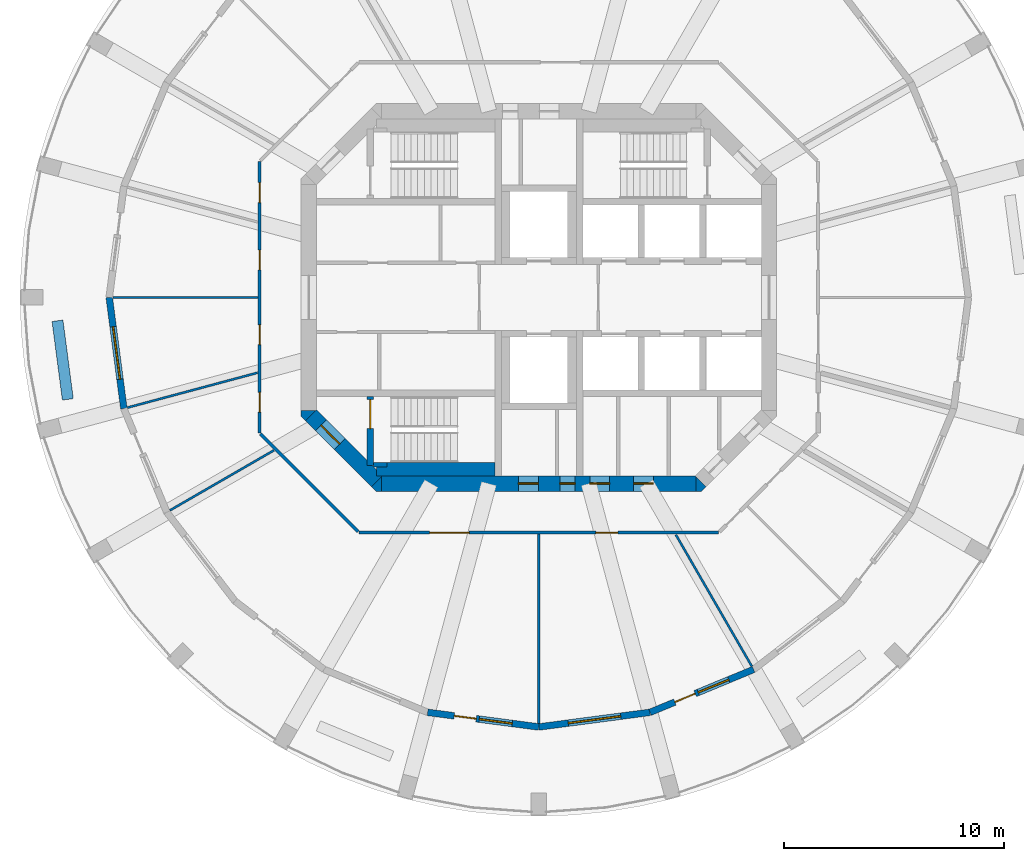
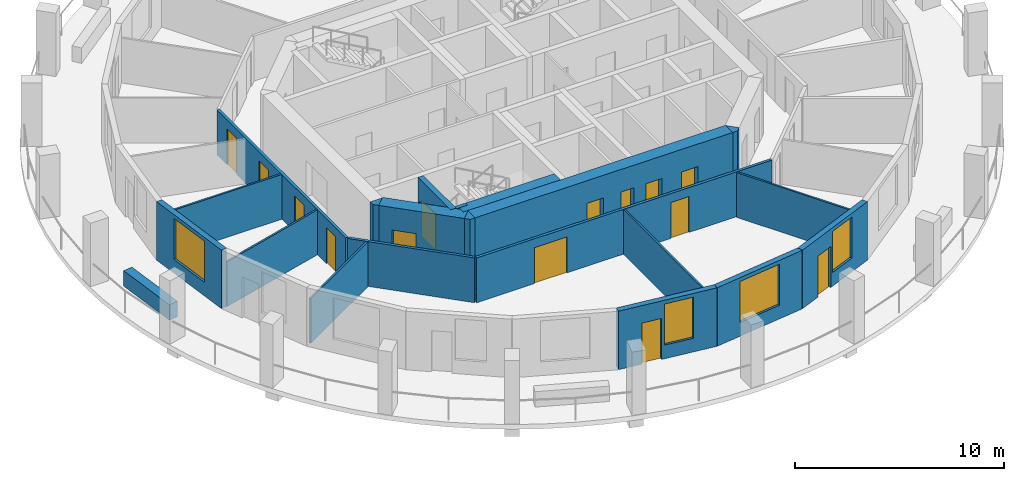
# One storey, part 2 of 8: 21 walls, 14 doors, 4 windows, 18 openings.
"""IFC4 building model written with IfcOpenShell, lengths in metres."""

from ifc_helpers import new_model, si_unit, direction, frame, frame_2d, origin, place, context, subcontext, project, spatial, polyline, rectangle, outline, extrude, material, layer, layer_set, type_object, element, fill, save


model = new_model("IFC4")

# Units and contexts
model_context = context("Model", 3, precision=1e-05, world=origin(), true_north=direction((0.0, 1.0)))
body_context = subcontext(model_context, "Body", "Model", "MODEL_VIEW")
ifc_project = project(units=[si_unit("LENGTHUNIT", "METRE"), si_unit("AREAUNIT", "SQUARE_METRE"), si_unit("VOLUMEUNIT", "CUBIC_METRE"), si_unit("PLANEANGLEUNIT", "RADIAN"), si_unit("MASSUNIT", "GRAM", prefix="KILO")], contexts=[model_context])

# Site, building, storey
site_placement = place(None, origin())
site = spatial("IfcSite", under=ifc_project, at=site_placement, CompositionType="ELEMENT")
building_placement = place(site_placement, origin())
building = spatial("IfcBuilding", under=site, at=building_placement, Name="Torre Triforio", CompositionType="ELEMENT")
storey_placement = place(building_placement, frame((0.0, 0.0, 192.800048828125)))
storey = spatial("IfcBuildingStorey", under=building, at=storey_placement, Name="L43", CompositionType="ELEMENT", Elevation=192.800048828125)

# Wall, openings, doors
ifc_material_1 = material(Name="Concrete C50", Category="concrete")
ifc_layer_1 = layer(ifc_material_1, 0.699951171875)
ifc_layer_set_1 = layer_set([ifc_layer_1], Name="Concrete C50")
wall_type_1 = type_object("IfcWallType", Name="Core wall 700 mm C50 EI 120", PredefinedType="SHEAR", material=ifc_layer_set_1)
wall_1_placement = place(storey_placement, frame((-7.1298828125, -8.449951171875, -0.280029296875), z_axis=(0.0, 0.0, 1.0), x_axis=(1.0, 0.0, 0.0)))
wall_1 = element("IfcWall", 1, at=wall_1_placement, inside=storey, type_object=wall_type_1, Name="Core wall", PredefinedType="SHEAR", context=body_context, shape_type="SweptSolid", body=[
    extrude(rectangle(XDim=14.259765625, YDim=0.699951171875, at=frame_2d((7.1298828125, 0.0))), origin(), (0.0, 0.0, 1.0), 3.699951171875),
])
opening_1_placement = place(wall_1_placement, frame((8.080078125, 0.0, 0.280029296875)))
opening_1 = element("IfcOpeningElement", 2, at=opening_1_placement, cuts=wall_1, Name="Opening RISER-S", PredefinedType="OPENING", context=body_context, shape_type="SweptSolid", body=[
    extrude(rectangle(XDim=0.699951171875, YDim=2.10009765625, at=frame_2d((0.35009765625, 1.050048828125))), frame((0.0, 0.35986328125, 0.0), z_axis=(0.0, -1.0, 0.0), x_axis=(1.0, 0.0, 0.0)), (0.0, 0.0, 1.0), 0.719970703125),
])
opening_2_placement = place(wall_1_placement, frame((6.205078125, 0.0, 0.280029296875)))
opening_2 = element("IfcOpeningElement", 3, at=opening_2_placement, cuts=wall_1, Name="Opening SW-01B", PredefinedType="OPENING", context=body_context, shape_type="SweptSolid", body=[
    extrude(rectangle(XDim=0.89990234375, YDim=2.10009765625, at=frame_2d((0.449951171875, 1.050048828125))), frame((0.0, 0.35986328125, 0.0), z_axis=(0.0, -1.0, 0.0), x_axis=(1.0, 0.0, 0.0)), (0.0, 0.0, 1.0), 0.719970703125),
])
opening_3_placement = place(wall_1_placement, frame((9.445068359375, 0.0, 0.280029296875)))
opening_3 = element("IfcOpeningElement", 4, at=opening_3_placement, cuts=wall_1, Name="Opening SE-01A", PredefinedType="OPENING", context=body_context, shape_type="SweptSolid", body=[
    extrude(rectangle(XDim=0.89990234375, YDim=2.10009765625, at=frame_2d((0.449951171875, 1.050048828125))), frame((0.0, 0.35986328125, 0.0), z_axis=(0.0, -1.0, 0.0), x_axis=(1.0, 0.0, 0.0)), (0.0, 0.0, 1.0), 0.719970703125),
])
opening_4_placement = place(wall_1_placement, frame((11.430908203125, 0.0, 0.280029296875)))
opening_4 = element("IfcOpeningElement", 5, at=opening_4_placement, cuts=wall_1, Name="Opening SE-02", PredefinedType="OPENING", context=body_context, shape_type="SweptSolid", body=[
    extrude(rectangle(XDim=0.89990234375, YDim=2.10009765625, at=frame_2d((0.449951171875, 1.050048828125))), frame((0.0, 0.35986328125, 0.0), z_axis=(0.0, -1.0, 0.0), x_axis=(1.0, 0.0, 0.0)), (0.0, 0.0, 1.0), 0.719970703125),
])
ifc_material_2 = material(Name="Hollow metal fire door leaf")
door_type_1 = type_object("IfcDoorType", Name="Riser door 700 x 2100 EI 60", OperationType="NOTDEFINED", PredefinedType="DOOR", material=ifc_material_2)
door_1_placement = place(opening_1_placement, origin())
door_1 = element("IfcDoor", 6, at=door_1_placement, inside=storey, type_object=door_type_1, Name="Core door RISER-S", OperationType="SINGLE_SWING_RIGHT", OverallHeight=2.10009765625, OverallWidth=0.699951171875, PredefinedType="DOOR", context=body_context, shape_type="SweptSolid", body=[
    extrude(rectangle(XDim=0.699951171875, YDim=2.10009765625, at=frame_2d((0.35009765625, 1.050048828125))), frame((0.0, 0.02490234375, 0.0), z_axis=(0.0, -1.0, 0.0), x_axis=(1.0, 0.0, 0.0)), (0.0, 0.0, 1.0), 0.050048828125),
])
fill(opening_1, door_1)
door_type_2 = type_object("IfcDoorType", Name="Room door 900 x 2100 EI 60", OperationType="NOTDEFINED", PredefinedType="DOOR", material=ifc_material_2)
door_2_placement = place(opening_2_placement, origin())
door_2 = element("IfcDoor", 7, at=door_2_placement, inside=storey, type_object=door_type_2, Name="Core door SW-01", OperationType="SINGLE_SWING_LEFT", OverallHeight=2.10009765625, OverallWidth=0.89990234375, PredefinedType="DOOR", context=body_context, shape_type="SweptSolid", body=[
    extrude(rectangle(XDim=0.89990234375, YDim=2.10009765625, at=frame_2d((0.449951171875, 1.050048828125))), frame((0.0, 0.02490234375, 0.0), z_axis=(0.0, -1.0, 0.0), x_axis=(1.0, 0.0, 0.0)), (0.0, 0.0, 1.0), 0.050048828125),
])
fill(opening_2, door_2)
door_3_placement = place(opening_3_placement, origin())
door_3 = element("IfcDoor", 8, at=door_3_placement, inside=storey, type_object=door_type_2, Name="Core door SE-01", OperationType="SINGLE_SWING_RIGHT", OverallHeight=2.10009765625, OverallWidth=0.89990234375, PredefinedType="DOOR", context=body_context, shape_type="SweptSolid", body=[
    extrude(rectangle(XDim=0.89990234375, YDim=2.10009765625, at=frame_2d((0.449951171875, 1.050048828125))), frame((0.0, 0.02490234375, 0.0), z_axis=(0.0, -1.0, 0.0), x_axis=(1.0, 0.0, 0.0)), (0.0, 0.0, 1.0), 0.050048828125),
])
fill(opening_3, door_3)
door_4_placement = place(opening_4_placement, origin())
door_4 = element("IfcDoor", 9, at=door_4_placement, inside=storey, type_object=door_type_2, Name="Core door SE-02", OperationType="SINGLE_SWING_LEFT", OverallHeight=2.10009765625, OverallWidth=0.89990234375, PredefinedType="DOOR", context=body_context, shape_type="SweptSolid", body=[
    extrude(rectangle(XDim=0.89990234375, YDim=2.10009765625, at=frame_2d((0.449951171875, 1.050048828125))), frame((0.0, 0.02490234375, 0.0), z_axis=(0.0, -1.0, 0.0), x_axis=(1.0, 0.0, 0.0)), (0.0, 0.0, 1.0), 0.050048828125),
])
fill(opening_4, door_4)

# Wall, opening, door
wall_2_placement = place(storey_placement, frame((-7.347412109375, -8.347412109375, -0.280029296875), z_axis=(0.0, 0.0, 1.0), x_axis=(-0.707106781187, 0.707106781187, 0.0)))
wall_2 = element("IfcWall", 10, at=wall_2_placement, inside=storey, type_object=wall_type_1, Name="Core wall", PredefinedType="SHEAR", context=body_context, shape_type="SweptSolid", body=[
    extrude(rectangle(XDim=4.24267578125, YDim=0.699951171875, at=frame_2d((2.121337890625, 0.0))), origin(), (0.0, 0.0, 1.0), 3.699951171875),
])
opening_5_placement = place(wall_2_placement, frame((2.392578125, 0.0, 0.280029296875)))
opening_5 = element("IfcOpeningElement", 11, at=opening_5_placement, cuts=wall_2, Name="Opening ST3-EXIT", PredefinedType="OPENING", context=body_context, shape_type="SweptSolid", body=[
    extrude(rectangle(XDim=1.199951171875, YDim=2.10009765625, at=frame_2d((0.60009765625, 1.050048828125))), frame((0.0, 0.35986328125, 0.0), z_axis=(0.0, -1.0, 0.0), x_axis=(1.0, 0.0, 0.0)), (0.0, 0.0, 1.0), 0.719970703125),
])
door_type_3 = type_object("IfcDoorType", Name="Stair lobby door 1200 x 2100 EI 60", OperationType="NOTDEFINED", PredefinedType="DOOR", material=ifc_material_2)
door_5_placement = place(opening_5_placement, origin())
door_5 = element("IfcDoor", 12, at=door_5_placement, inside=storey, type_object=door_type_3, Name="Core door ST3-EXIT", OperationType="SINGLE_SWING_RIGHT", OverallHeight=2.10009765625, OverallWidth=1.199951171875, PredefinedType="DOOR", context=body_context, shape_type="SweptSolid", body=[
    extrude(rectangle(XDim=1.199951171875, YDim=2.10009765625, at=frame_2d((0.60009765625, 1.050048828125))), frame((0.0, 0.02490234375, 0.0), z_axis=(0.0, -1.0, 0.0), x_axis=(1.0, 0.0, 0.0)), (0.0, 0.0, 1.0), 0.050048828125),
])
fill(opening_5, door_5)

# Walls
wall_3_placement = place(storey_placement, frame((0.0, 0.0, -0.280029296875)))
element("IfcWall", 13, at=wall_3_placement, inside=storey, type_object=wall_type_1, Name="Core wall", PredefinedType="SHEAR", context=body_context, shape_type="SweptSolid", body=[
    extrude(outline(polyline([(-7.389892578125, -8.800048828125), (-7.594970703125, -8.594970703125), (-7.594970703125, -8.594970703125), (-7.594970703125, -8.594970703125), (-7.1298828125, -8.1298828125), (-7.1298828125, -8.800048828125), (-7.1298828125, -8.800048828125), (-7.389892578125, -8.800048828125)])), origin(), (0.0, 0.0, 1.0), 3.699951171875),
])
wall_4_placement = place(storey_placement, frame((0.0, 0.0, -0.280029296875)))
element("IfcWall", 14, at=wall_4_placement, inside=storey, type_object=wall_type_1, Name="Core wall", PredefinedType="SHEAR", context=body_context, shape_type="SweptSolid", body=[
    extrude(outline(polyline([(7.389892578125, -8.800048828125), (7.1298828125, -8.800048828125), (7.1298828125, -8.800048828125), (7.1298828125, -8.1298828125), (7.594970703125, -8.594970703125), (7.594970703125, -8.594970703125), (7.594970703125, -8.594970703125), (7.389892578125, -8.800048828125)])), origin(), (0.0, 0.0, 1.0), 3.699951171875),
])
wall_5_placement = place(storey_placement, frame((0.0, 0.0, -0.280029296875)))
element("IfcWall", 15, at=wall_5_placement, inside=storey, type_object=wall_type_1, Name="Core wall", PredefinedType="SHEAR", context=body_context, shape_type="SweptSolid", body=[
    extrude(outline(polyline([(-10.800048828125, -5.389892578125), (-10.800048828125, -5.1298828125), (-10.800048828125, -5.1298828125), (-10.1298828125, -5.1298828125), (-10.594970703125, -5.594970703125), (-10.594970703125, -5.594970703125), (-10.594970703125, -5.594970703125), (-10.800048828125, -5.389892578125)])), origin(), (0.0, 0.0, 1.0), 3.699951171875),
])

# Wall, openings, doors
ifc_material_3 = material(Name="Plasterboard on metal studs")
ifc_layer_2 = layer(ifc_material_3, 0.14990234375)
ifc_layer_set_2 = layer_set([ifc_layer_2], Name="Plasterboard on metal studs")
wall_type_2 = type_object("IfcWallType", Name="Corridor and tenancy wall 150 mm EI 60", PredefinedType="PARTITIONING", material=ifc_layer_set_2)
wall_6_placement = place(storey_placement, frame((8.16650390625, -10.675048828125, 0.0), z_axis=(0.0, 0.0, 1.0), x_axis=(-1.0, 0.0, 0.0)))
wall_6 = element("IfcWall", 16, at=wall_6_placement, inside=storey, type_object=wall_type_2, Name="Partition 3", PredefinedType="PARTITIONING", context=body_context, shape_type="SweptSolid", body=[
    extrude(rectangle(XDim=16.3330078125, YDim=0.14990234375, at=frame_2d((8.16650390625, 0.0))), origin(), (0.0, 0.0, 1.0), 2.619873046875),
])
opening_6_placement = place(wall_6_placement, frame((11.324951171875, 0.0, 0.0)))
opening_6 = element("IfcOpeningElement", 17, at=opening_6_placement, cuts=wall_6, Name="Opening O4-08", PredefinedType="OPENING", context=body_context, shape_type="SweptSolid", body=[
    extrude(rectangle(XDim=1.800048828125, YDim=2.10009765625, at=frame_2d((0.89990234375, 1.050048828125))), frame((0.0, 0.0849609375, 0.0), z_axis=(0.0, -1.0, 0.0), x_axis=(1.0, 0.0, 0.0)), (0.0, 0.0, 1.0), 0.169921875),
])
opening_7_placement = place(wall_6_placement, frame((4.5810546875, 0.0, 0.0)))
opening_7 = element("IfcOpeningElement", 18, at=opening_7_placement, cuts=wall_6, Name="Opening O4-09", PredefinedType="OPENING", context=body_context, shape_type="SweptSolid", body=[
    extrude(rectangle(XDim=1.0, YDim=2.10009765625, at=frame_2d((0.5, 1.050048828125))), frame((0.0, 0.0849609375, 0.0), z_axis=(0.0, -1.0, 0.0), x_axis=(1.0, 0.0, 0.0)), (0.0, 0.0, 1.0), 0.169921875),
])
ifc_material_4 = material(Name="Timber", Category="wood")
door_type_4 = type_object("IfcDoorType", Name="Door 1000 x 2100 single leaf EI 30", OperationType="NOTDEFINED", PredefinedType="DOOR", material=ifc_material_4)
door_6_placement = place(opening_7_placement, origin())
door_6 = element("IfcDoor", 19, at=door_6_placement, inside=storey, type_object=door_type_4, Name="Door O4-09", OperationType="SINGLE_SWING_LEFT", OverallHeight=2.10009765625, OverallWidth=1.0, PredefinedType="DOOR", context=body_context, shape_type="SweptSolid", body=[
    extrude(rectangle(XDim=1.0, YDim=2.10009765625, at=frame_2d((0.5, 1.050048828125))), frame((0.0, 0.02490234375, 0.0), z_axis=(0.0, -1.0, 0.0), x_axis=(1.0, 0.0, 0.0)), (0.0, 0.0, 1.0), 0.050048828125),
])
fill(opening_7, door_6)
door_type_5 = type_object("IfcDoorType", Name="Door 1800 x 2100 double leaf EI 30", OperationType="DOUBLE_DOOR_SINGLE_SWING", PredefinedType="DOOR", material=ifc_material_4)
door_7_placement = place(opening_6_placement, origin())
door_7 = element("IfcDoor", 20, at=door_7_placement, inside=storey, type_object=door_type_5, Name="Door O4-08", OperationType="DOUBLE_DOOR_SINGLE_SWING", OverallHeight=2.10009765625, OverallWidth=1.800048828125, PredefinedType="DOOR", context=body_context, shape_type="SweptSolid", body=[
    extrude(rectangle(XDim=1.800048828125, YDim=2.10009765625, at=frame_2d((0.89990234375, 1.050048828125))), frame((0.0, 0.02490234375, 0.0), z_axis=(0.0, -1.0, 0.0), x_axis=(1.0, 0.0, 0.0)), (0.0, 0.0, 1.0), 0.050048828125),
])
fill(opening_6, door_7)

# Wall
wall_7_placement = place(storey_placement, frame((-8.20361328125, -10.637939453125, 0.0), z_axis=(0.0, 0.0, 1.0), x_axis=(-0.707106781187, 0.707106781187, 0.0)))
element("IfcWall", 21, at=wall_7_placement, inside=storey, type_object=wall_type_2, Name="Partition 4", PredefinedType="PARTITIONING", context=body_context, shape_type="SweptSolid", body=[
    extrude(rectangle(XDim=6.27099609375, YDim=0.14990234375, at=frame_2d((3.135498046875, 0.0))), origin(), (0.0, 0.0, 1.0), 2.619873046875),
])

# Wall, openings, doors
wall_8_placement = place(storey_placement, frame((-12.675048828125, -6.16650390625, 0.0), z_axis=(0.0, 0.0, 1.0), x_axis=(0.0, 1.0, 0.0)))
wall_8 = element("IfcWall", 22, at=wall_8_placement, inside=storey, type_object=wall_type_2, Name="Partition 5", PredefinedType="PARTITIONING", context=body_context, shape_type="SweptSolid", body=[
    extrude(rectangle(XDim=12.3330078125, YDim=0.14990234375, at=frame_2d((6.16650390625, 0.0))), origin(), (0.0, 0.0, 1.0), 2.619873046875),
])
opening_8_placement = place(wall_8_placement, frame((10.47314453125, 0.0, 0.0)))
opening_8 = element("IfcOpeningElement", 23, at=opening_8_placement, cuts=wall_8, Name="Opening O4-04", PredefinedType="OPENING", context=body_context, shape_type="SweptSolid", body=[
    extrude(rectangle(XDim=0.89990234375, YDim=2.10009765625, at=frame_2d((0.449951171875, 1.050048828125))), frame((0.0, 0.0849609375, 0.0), z_axis=(0.0, -1.0, 0.0), x_axis=(1.0, 0.0, 0.0)), (0.0, 0.0, 1.0), 0.169921875),
])
opening_9_placement = place(wall_8_placement, frame((7.41552734375, 0.0, 0.0)))
opening_9 = element("IfcOpeningElement", 24, at=opening_9_placement, cuts=wall_8, Name="Opening O4-05", PredefinedType="OPENING", context=body_context, shape_type="SweptSolid", body=[
    extrude(rectangle(XDim=0.89990234375, YDim=2.10009765625, at=frame_2d((0.449951171875, 1.050048828125))), frame((0.0, 0.0849609375, 0.0), z_axis=(0.0, -1.0, 0.0), x_axis=(1.0, 0.0, 0.0)), (0.0, 0.0, 1.0), 0.169921875),
])
opening_10_placement = place(wall_8_placement, frame((4.017578125, 0.0, 0.0)))
opening_10 = element("IfcOpeningElement", 25, at=opening_10_placement, cuts=wall_8, Name="Opening O4-06", PredefinedType="OPENING", context=body_context, shape_type="SweptSolid", body=[
    extrude(rectangle(XDim=0.89990234375, YDim=2.10009765625, at=frame_2d((0.449951171875, 1.050048828125))), frame((0.0, 0.0849609375, 0.0), z_axis=(0.0, -1.0, 0.0), x_axis=(1.0, 0.0, 0.0)), (0.0, 0.0, 1.0), 0.169921875),
])
opening_11_placement = place(wall_8_placement, frame((0.960205078125, 0.0, 0.0)))
opening_11 = element("IfcOpeningElement", 26, at=opening_11_placement, cuts=wall_8, Name="Opening O4-07", PredefinedType="OPENING", context=body_context, shape_type="SweptSolid", body=[
    extrude(rectangle(XDim=0.89990234375, YDim=2.10009765625, at=frame_2d((0.449951171875, 1.050048828125))), frame((0.0, 0.0849609375, 0.0), z_axis=(0.0, -1.0, 0.0), x_axis=(1.0, 0.0, 0.0)), (0.0, 0.0, 1.0), 0.169921875),
])
door_type_6 = type_object("IfcDoorType", Name="Door 900 x 2100 single leaf EI 30", OperationType="NOTDEFINED", PredefinedType="DOOR", material=ifc_material_4)
door_8_placement = place(opening_8_placement, origin())
door_8 = element("IfcDoor", 27, at=door_8_placement, inside=storey, type_object=door_type_6, Name="Door O4-04", OperationType="SINGLE_SWING_LEFT", OverallHeight=2.10009765625, OverallWidth=0.89990234375, PredefinedType="DOOR", context=body_context, shape_type="SweptSolid", body=[
    extrude(rectangle(XDim=0.89990234375, YDim=2.10009765625, at=frame_2d((0.449951171875, 1.050048828125))), frame((0.0, 0.02490234375, 0.0), z_axis=(0.0, -1.0, 0.0), x_axis=(1.0, 0.0, 0.0)), (0.0, 0.0, 1.0), 0.050048828125),
])
fill(opening_8, door_8)
door_9_placement = place(opening_9_placement, origin())
door_9 = element("IfcDoor", 28, at=door_9_placement, inside=storey, type_object=door_type_6, Name="Door O4-05", OperationType="SINGLE_SWING_LEFT", OverallHeight=2.10009765625, OverallWidth=0.89990234375, PredefinedType="DOOR", context=body_context, shape_type="SweptSolid", body=[
    extrude(rectangle(XDim=0.89990234375, YDim=2.10009765625, at=frame_2d((0.449951171875, 1.050048828125))), frame((0.0, 0.02490234375, 0.0), z_axis=(0.0, -1.0, 0.0), x_axis=(1.0, 0.0, 0.0)), (0.0, 0.0, 1.0), 0.050048828125),
])
fill(opening_9, door_9)
door_10_placement = place(opening_10_placement, origin())
door_10 = element("IfcDoor", 29, at=door_10_placement, inside=storey, type_object=door_type_6, Name="Door O4-06", OperationType="SINGLE_SWING_LEFT", OverallHeight=2.10009765625, OverallWidth=0.89990234375, PredefinedType="DOOR", context=body_context, shape_type="SweptSolid", body=[
    extrude(rectangle(XDim=0.89990234375, YDim=2.10009765625, at=frame_2d((0.449951171875, 1.050048828125))), frame((0.0, 0.02490234375, 0.0), z_axis=(0.0, -1.0, 0.0), x_axis=(1.0, 0.0, 0.0)), (0.0, 0.0, 1.0), 0.050048828125),
])
fill(opening_10, door_10)
door_11_placement = place(opening_11_placement, origin())
door_11 = element("IfcDoor", 30, at=door_11_placement, inside=storey, type_object=door_type_6, Name="Door O4-07", OperationType="SINGLE_SWING_LEFT", OverallHeight=2.10009765625, OverallWidth=0.89990234375, PredefinedType="DOOR", context=body_context, shape_type="SweptSolid", body=[
    extrude(rectangle(XDim=0.89990234375, YDim=2.10009765625, at=frame_2d((0.449951171875, 1.050048828125))), frame((0.0, 0.02490234375, 0.0), z_axis=(0.0, -1.0, 0.0), x_axis=(1.0, 0.0, 0.0)), (0.0, 0.0, 1.0), 0.050048828125),
])
fill(opening_11, door_11)

# Walls
ifc_layer_3 = layer(ifc_material_3, 0.10009765625)
ifc_layer_set_3 = layer_set([ifc_layer_3], Name="Plasterboard on metal studs")
wall_type_3 = type_object("IfcWallType", Name="Partition 100 mm board on metal studs", PredefinedType="PARTITIONING", material=ifc_layer_set_3)
wall_9_placement = place(storey_placement, frame((-12.75, 0.0, 0.0), z_axis=(0.0, 0.0, 1.0), x_axis=(-1.0, 0.0, 0.0)))
element("IfcWall", 31, at=wall_9_placement, inside=storey, type_object=wall_type_3, Name="Partition 18", PredefinedType="PARTITIONING", context=body_context, shape_type="SweptSolid", body=[
    extrude(rectangle(XDim=6.586669921875, YDim=0.10009765625, at=frame_2d((3.29345703125, 0.0))), origin(), (0.0, 0.0, 1.0), 2.619873046875),
])
wall_10_placement = place(storey_placement, frame((-12.764404296875, -3.420166015625, 0.0), z_axis=(0.0, 0.0, 1.0), x_axis=(-0.965925800266, -0.258819142221, 0.0)))
element("IfcWall", 32, at=wall_10_placement, inside=storey, type_object=wall_type_3, Name="Partition 19", PredefinedType="PARTITIONING", context=body_context, shape_type="SweptSolid", body=[
    extrude(rectangle(XDim=6.121826171875, YDim=0.10009765625, at=frame_2d((3.06103515625, 0.0))), origin(), (0.0, 0.0, 1.0), 2.619873046875),
])
wall_11_placement = place(storey_placement, frame((-12.025146484375, -6.94287109375, 0.0), z_axis=(0.0, 0.0, 1.0), x_axis=(-0.866029712004, -0.499992537871, 0.0)))
element("IfcWall", 33, at=wall_11_placement, inside=storey, type_object=wall_type_3, Name="Partition 20", PredefinedType="PARTITIONING", context=body_context, shape_type="SweptSolid", body=[
    extrude(rectangle(XDim=5.451171875, YDim=0.10009765625, at=frame_2d((2.7255859375, 0.0))), origin(), (0.0, 0.0, 1.0), 2.619873046875),
])
wall_12_placement = place(storey_placement, frame((0.0, -10.75, 0.0), z_axis=(0.0, 0.0, 1.0), x_axis=(0.0, -1.0, 0.0)))
element("IfcWall", 34, at=wall_12_placement, inside=storey, type_object=wall_type_3, Name="Partition 21", PredefinedType="PARTITIONING", context=body_context, shape_type="SweptSolid", body=[
    extrude(rectangle(XDim=8.586669921875, YDim=0.10009765625, at=frame_2d((4.29345703125, 0.0))), origin(), (0.0, 0.0, 1.0), 2.619873046875),
])
wall_13_placement = place(storey_placement, frame((6.220703125, -10.774658203125, 0.0), z_axis=(0.0, 0.0, 1.0), x_axis=(0.500015661236, -0.866016361577, 0.0)))
element("IfcWall", 35, at=wall_13_placement, inside=storey, type_object=wall_type_3, Name="Partition 22", PredefinedType="PARTITIONING", context=body_context, shape_type="SweptSolid", body=[
    extrude(rectangle(XDim=6.895263671875, YDim=0.10009765625, at=frame_2d((3.44775390625, 0.0))), origin(), (0.0, 0.0, 1.0), 2.619873046875),
])
ifc_material_5 = material(Name="Limestone cladding", Category="masonry")
ifc_layer_4 = layer(ifc_material_5, 0.10009765625)
ifc_material_6 = material(Name="Concrete C40", Category="concrete")
ifc_layer_5 = layer(ifc_material_6, 0.39990234375)
ifc_layer_set_4 = layer_set([ifc_layer_4, ifc_layer_5], Name="Limestone cladding / Concrete C40")
wall_type_4 = type_object("IfcWallType", Name="Planter wall 500", PredefinedType="PARAPET", material=ifc_layer_set_4)
wall_14_placement = place(storey_placement, frame((-21.848388671875, -1.060791015625, 0.0), z_axis=(0.0, 0.0, 1.0), x_axis=(0.130475563272, -0.991451525486, 0.0)))
element("IfcWall", 36, at=wall_14_placement, inside=storey, type_object=wall_type_4, Name="Planter L43 bay 13", PredefinedType="PARAPET", context=body_context, shape_type="SweptSolid", body=[
    extrude(rectangle(XDim=3.60009765625, YDim=0.5, at=frame_2d((1.800048828125, 0.0))), origin(), (0.0, 0.0, 1.0), 0.89990234375),
])
ifc_layer_6 = layer(ifc_material_1, 0.199951171875)
ifc_layer_set_5 = layer_set([ifc_layer_6], Name="Concrete C50")
wall_type_5 = type_object("IfcWallType", Name="Stair wall 200 mm C50 EI 120", PredefinedType="SHEAR", material=ifc_layer_set_5)
wall_15_placement = place(storey_placement, frame((-7.5, -7.60009765625, 0.0), z_axis=(0.0, 0.0, 1.0), x_axis=(1.0, 0.0, 0.0)))
element("IfcWall", 37, at=wall_15_placement, inside=storey, type_object=wall_type_5, Name="Stair wall", PredefinedType="SHEAR", context=body_context, shape_type="SweptSolid", body=[
    extrude(rectangle(XDim=0.60009765625, YDim=0.199951171875, at=frame_2d((0.300048828125, 0.0))), origin(), (0.0, 0.0, 1.0), 3.419921875),
])

# Wall, opening, door
ifc_layer_7 = layer(ifc_material_1, 0.300048828125)
ifc_layer_set_6 = layer_set([ifc_layer_7], Name="Concrete C50")
wall_type_6 = type_object("IfcWallType", Name="Stair wall 300 mm C50 EI 120", PredefinedType="SHEAR", material=ifc_layer_set_6)
wall_16_placement = place(storey_placement, frame((-7.64990234375, -7.639892578125, 0.0), z_axis=(0.0, 0.0, 1.0), x_axis=(0.0, 1.0, 0.0)))
wall_16 = element("IfcWall", 38, at=wall_16_placement, inside=storey, type_object=wall_type_6, Name="Stair wall", PredefinedType="SHEAR", context=body_context, shape_type="SweptSolid", body=[
    extrude(rectangle(XDim=3.139892578125, YDim=0.300048828125, at=frame_2d((1.56982421875, 0.0))), origin(), (0.0, 0.0, 1.0), 3.419921875),
])
opening_12_placement = place(wall_16_placement, frame((1.679931640625, 0.0, 0.0)))
opening_12 = element("IfcOpeningElement", 39, at=opening_12_placement, cuts=wall_16, Name="Opening ST3-STA", PredefinedType="OPENING", context=body_context, shape_type="SweptSolid", body=[
    extrude(rectangle(XDim=1.320068359375, YDim=2.10009765625, at=frame_2d((0.66015625, 1.050048828125))), frame((0.0, 0.159912109375, 0.0), z_axis=(0.0, -1.0, 0.0), x_axis=(1.0, 0.0, 0.0)), (0.0, 0.0, 1.0), 0.320068359375),
])
door_type_7 = type_object("IfcDoorType", Name="Stair door 1320 x 2100 EI 90", OperationType="DOUBLE_DOOR_SINGLE_SWING", PredefinedType="DOOR", material=ifc_material_2)
door_12_placement = place(opening_12_placement, origin())
door_12 = element("IfcDoor", 40, at=door_12_placement, inside=storey, type_object=door_type_7, Name="Core door ST3-ST", OperationType="DOUBLE_DOOR_SINGLE_SWING", OverallHeight=2.10009765625, OverallWidth=1.320068359375, PredefinedType="DOOR", context=body_context, shape_type="SweptSolid", body=[
    extrude(rectangle(XDim=1.320068359375, YDim=2.10009765625, at=frame_2d((0.66015625, 1.050048828125))), frame((0.0, 0.02490234375, 0.0), z_axis=(0.0, -1.0, 0.0), x_axis=(1.0, 0.0, 0.0)), (0.0, 0.0, 1.0), 0.050048828125),
])
fill(opening_12, door_12)

# Wall
ifc_layer_8 = layer(ifc_material_1, 0.60009765625)
ifc_layer_set_7 = layer_set([ifc_layer_8], Name="Concrete C50")
wall_type_7 = type_object("IfcWallType", Name="Stair wall 600 mm C50 EI 120", PredefinedType="SHEAR", material=ifc_layer_set_7)
wall_17_placement = place(storey_placement, frame((-7.3701171875, -7.800048828125, 0.0), z_axis=(0.0, 0.0, 1.0), x_axis=(1.0, 0.0, 0.0)))
element("IfcWall", 41, at=wall_17_placement, inside=storey, type_object=wall_type_7, Name="Stair wall", PredefinedType="SHEAR", context=body_context, shape_type="SweptSolid", body=[
    extrude(rectangle(XDim=5.3701171875, YDim=0.60009765625, at=frame_2d((2.68505859375, 0.0))), origin(), (0.0, 0.0, 1.0), 3.419921875),
])

# Wall, opening, window
ifc_layer_9 = layer(ifc_material_5, 0.10009765625)
ifc_layer_10 = layer(ifc_material_6, 0.199951171875)
ifc_layer_set_8 = layer_set([ifc_layer_9, ifc_layer_10], Name="Limestone cladding / Concrete C40")
wall_type_8 = type_object("IfcWallType", Name="Stone-faced composite wall 300", PredefinedType="STANDARD", material=ifc_layer_set_8)
wall_18_placement = place(storey_placement, frame((-19.5, 0.0, 0.0), z_axis=(0.0, 0.0, 1.0), x_axis=(0.130495451964, -0.99144890792, 0.0)))
wall_18 = element("IfcWall", 42, at=wall_18_placement, inside=storey, type_object=wall_type_8, Name="External wall L43 bay 13", PredefinedType="STANDARD", context=body_context, shape_type="SweptSolid", body=[
    extrude(rectangle(XDim=5.090576171875, YDim=0.300048828125, at=frame_2d((2.54541015625, 0.0))), origin(), (0.0, 0.0, 1.0), 3.419921875),
])
opening_13_placement = place(wall_18_placement, frame((1.34521484375, 0.0, 0.800048828125)))
opening_13 = element("IfcOpeningElement", 43, at=opening_13_placement, cuts=wall_18, Name="Opening O4-W13", PredefinedType="OPENING", context=body_context, shape_type="SweptSolid", body=[
    extrude(rectangle(XDim=2.39990234375, YDim=2.39990234375, at=frame_2d((1.199951171875, 1.199951171875))), frame((0.0, 0.159912109375, 0.0), z_axis=(0.0, -1.0, 0.0), x_axis=(1.0, 0.0, 0.0)), (0.0, 0.0, 1.0), 0.320068359375),
])
ifc_material_7 = material(Name="Aluminium frame with clear double glazing", Category="aluminium")
window_type_1 = type_object("IfcWindowType", Name="Punched window 2400 x 2400", PartitioningType="DOUBLE_PANEL_VERTICAL", PredefinedType="WINDOW", material=ifc_material_7)
window_1_placement = place(opening_13_placement, origin())
window_1 = element("IfcWindow", 44, at=window_1_placement, inside=storey, type_object=window_type_1, Name="Window EWN4 L43 bay 13", OverallHeight=2.39990234375, OverallWidth=2.39990234375, PartitioningType="SINGLE_PANEL", PredefinedType="WINDOW", context=body_context, shape_type="SweptSolid", body=[
    extrude(rectangle(XDim=2.39990234375, YDim=2.39990234375, at=frame_2d((1.199951171875, 1.199951171875))), frame((0.0, 0.030029296875, 0.0), z_axis=(0.0, -1.0, 0.0), x_axis=(1.0, 0.0, 0.0)), (0.0, 0.0, 1.0), 0.06005859375),
])
fill(opening_13, window_1)

# Wall, openings, door, window
wall_19_placement = place(storey_placement, frame((-5.047119140625, -18.835693359375, 0.0), z_axis=(0.0, 0.0, 1.0), x_axis=(0.99144890792, -0.130495451964, 0.0)))
wall_19 = element("IfcWall", 45, at=wall_19_placement, inside=storey, type_object=wall_type_8, Name="External wall L43 bay 18", PredefinedType="STANDARD", context=body_context, shape_type="SweptSolid", body=[
    extrude(rectangle(XDim=5.090576171875, YDim=0.300048828125, at=frame_2d((2.54541015625, 0.0))), origin(), (0.0, 0.0, 1.0), 3.419921875),
])
opening_14_placement = place(wall_19_placement, frame((1.22021484375, 0.0, 0.0)))
opening_14 = element("IfcOpeningElement", 46, at=opening_14_placement, cuts=wall_19, Name="Opening O4-D18", PredefinedType="OPENING", context=body_context, shape_type="SweptSolid", body=[
    extrude(rectangle(XDim=1.0, YDim=2.39990234375, at=frame_2d((0.5, 1.199951171875))), frame((0.0, 0.159912109375, 0.0), z_axis=(0.0, -1.0, 0.0), x_axis=(1.0, 0.0, 0.0)), (0.0, 0.0, 1.0), 0.320068359375),
])
opening_15_placement = place(wall_19_placement, frame((2.370361328125, 0.0, 0.800048828125)))
opening_15 = element("IfcOpeningElement", 47, at=opening_15_placement, cuts=wall_19, Name="Opening O4-W18A", PredefinedType="OPENING", context=body_context, shape_type="SweptSolid", body=[
    extrude(rectangle(XDim=1.5, YDim=2.39990234375, at=frame_2d((0.75, 1.199951171875))), frame((0.0, 0.159912109375, 0.0), z_axis=(0.0, -1.0, 0.0), x_axis=(1.0, 0.0, 0.0)), (0.0, 0.0, 1.0), 0.320068359375),
])
door_type_8 = type_object("IfcDoorType", Name="Loggia door 1000 x 2400", OperationType="NOTDEFINED", PredefinedType="DOOR", material=ifc_material_7)
door_13_placement = place(opening_14_placement, origin())
door_13 = element("IfcDoor", 48, at=door_13_placement, inside=storey, type_object=door_type_8, Name="Loggia door L43 bay 18", OperationType="SINGLE_SWING_LEFT", OverallHeight=2.39990234375, OverallWidth=1.0, PredefinedType="DOOR", context=body_context, shape_type="SweptSolid", body=[
    extrude(rectangle(XDim=1.0, YDim=2.39990234375, at=frame_2d((0.5, 1.199951171875))), frame((0.0, 0.02490234375, 0.0), z_axis=(0.0, -1.0, 0.0), x_axis=(1.0, 0.0, 0.0)), (0.0, 0.0, 1.0), 0.050048828125),
])
fill(opening_14, door_13)
window_type_2 = type_object("IfcWindowType", Name="Side window 1500 x 2400", PartitioningType="SINGLE_PANEL", PredefinedType="WINDOW", material=ifc_material_7)
window_2_placement = place(opening_15_placement, origin())
window_2 = element("IfcWindow", 49, at=window_2_placement, inside=storey, type_object=window_type_2, Name="Side window EWN14 L43 bay 18", OverallHeight=2.39990234375, OverallWidth=1.5, PartitioningType="SINGLE_PANEL", PredefinedType="WINDOW", context=body_context, shape_type="SweptSolid", body=[
    extrude(rectangle(XDim=1.5, YDim=2.39990234375, at=frame_2d((0.75, 1.199951171875))), frame((0.0, 0.030029296875, 0.0), z_axis=(0.0, -1.0, 0.0), x_axis=(1.0, 0.0, 0.0)), (0.0, 0.0, 1.0), 0.06005859375),
])
fill(opening_15, window_2)

# Wall, opening, window
wall_20_placement = place(storey_placement, frame((0.0, -19.5, 0.0), z_axis=(0.0, 0.0, 1.0), x_axis=(0.99144890792, 0.130495451964, 0.0)))
wall_20 = element("IfcWall", 50, at=wall_20_placement, inside=storey, type_object=wall_type_8, Name="External wall L43 bay 19", PredefinedType="STANDARD", context=body_context, shape_type="SweptSolid", body=[
    extrude(rectangle(XDim=5.090576171875, YDim=0.300048828125, at=frame_2d((2.54541015625, 0.0))), origin(), (0.0, 0.0, 1.0), 3.419921875),
])
opening_16_placement = place(wall_20_placement, frame((1.34521484375, 0.0, 0.800048828125)))
opening_16 = element("IfcOpeningElement", 51, at=opening_16_placement, cuts=wall_20, Name="Opening O4-W19", PredefinedType="OPENING", context=body_context, shape_type="SweptSolid", body=[
    extrude(rectangle(XDim=2.39990234375, YDim=2.39990234375, at=frame_2d((1.199951171875, 1.199951171875))), frame((0.0, 0.159912109375, 0.0), z_axis=(0.0, -1.0, 0.0), x_axis=(1.0, 0.0, 0.0)), (0.0, 0.0, 1.0), 0.320068359375),
])
window_3_placement = place(opening_16_placement, origin())
window_3 = element("IfcWindow", 52, at=window_3_placement, inside=storey, type_object=window_type_1, Name="Window EWN4 L43 bay 19", OverallHeight=2.39990234375, OverallWidth=2.39990234375, PartitioningType="SINGLE_PANEL", PredefinedType="WINDOW", context=body_context, shape_type="SweptSolid", body=[
    extrude(rectangle(XDim=2.39990234375, YDim=2.39990234375, at=frame_2d((1.199951171875, 1.199951171875))), frame((0.0, 0.030029296875, 0.0), z_axis=(0.0, -1.0, 0.0), x_axis=(1.0, 0.0, 0.0)), (0.0, 0.0, 1.0), 0.06005859375),
])
fill(opening_16, window_3)

# Wall, openings, door, window
wall_21_placement = place(storey_placement, frame((5.047119140625, -18.835693359375, 0.0), z_axis=(0.0, 0.0, 1.0), x_axis=(0.923862504675, 0.382724538613, 0.0)))
wall_21 = element("IfcWall", 53, at=wall_21_placement, inside=storey, type_object=wall_type_8, Name="External wall L43 bay 20", PredefinedType="STANDARD", context=body_context, shape_type="SweptSolid", body=[
    extrude(rectangle(XDim=5.090576171875, YDim=0.300048828125, at=frame_2d((2.54541015625, 0.0))), origin(), (0.0, 0.0, 1.0), 3.419921875),
])
opening_17_placement = place(wall_21_placement, frame((1.22021484375, 0.0, 0.0)))
opening_17 = element("IfcOpeningElement", 54, at=opening_17_placement, cuts=wall_21, Name="Opening O4-D20", PredefinedType="OPENING", context=body_context, shape_type="SweptSolid", body=[
    extrude(rectangle(XDim=1.0, YDim=2.39990234375, at=frame_2d((0.5, 1.199951171875))), frame((0.0, 0.159912109375, 0.0), z_axis=(0.0, -1.0, 0.0), x_axis=(1.0, 0.0, 0.0)), (0.0, 0.0, 1.0), 0.320068359375),
])
opening_18_placement = place(wall_21_placement, frame((2.370361328125, 0.0, 0.800048828125)))
opening_18 = element("IfcOpeningElement", 55, at=opening_18_placement, cuts=wall_21, Name="Opening O4-W20A", PredefinedType="OPENING", context=body_context, shape_type="SweptSolid", body=[
    extrude(rectangle(XDim=1.5, YDim=2.39990234375, at=frame_2d((0.75, 1.199951171875))), frame((0.0, 0.159912109375, 0.0), z_axis=(0.0, -1.0, 0.0), x_axis=(1.0, 0.0, 0.0)), (0.0, 0.0, 1.0), 0.320068359375),
])
door_14_placement = place(opening_17_placement, origin())
door_14 = element("IfcDoor", 56, at=door_14_placement, inside=storey, type_object=door_type_8, Name="Loggia door L43 bay 20", OperationType="SINGLE_SWING_LEFT", OverallHeight=2.39990234375, OverallWidth=1.0, PredefinedType="DOOR", context=body_context, shape_type="SweptSolid", body=[
    extrude(rectangle(XDim=1.0, YDim=2.39990234375, at=frame_2d((0.5, 1.199951171875))), frame((0.0, 0.02490234375, 0.0), z_axis=(0.0, -1.0, 0.0), x_axis=(1.0, 0.0, 0.0)), (0.0, 0.0, 1.0), 0.050048828125),
])
fill(opening_17, door_14)
window_4_placement = place(opening_18_placement, origin())
window_4 = element("IfcWindow", 57, at=window_4_placement, inside=storey, type_object=window_type_2, Name="Side window EWN14 L43 bay 20", OverallHeight=2.39990234375, OverallWidth=1.5, PartitioningType="SINGLE_PANEL", PredefinedType="WINDOW", context=body_context, shape_type="SweptSolid", body=[
    extrude(rectangle(XDim=1.5, YDim=2.39990234375, at=frame_2d((0.75, 1.199951171875))), frame((0.0, 0.030029296875, 0.0), z_axis=(0.0, -1.0, 0.0), x_axis=(1.0, 0.0, 0.0)), (0.0, 0.0, 1.0), 0.06005859375),
])
fill(opening_18, window_4)

save(model, "model.ifc")
